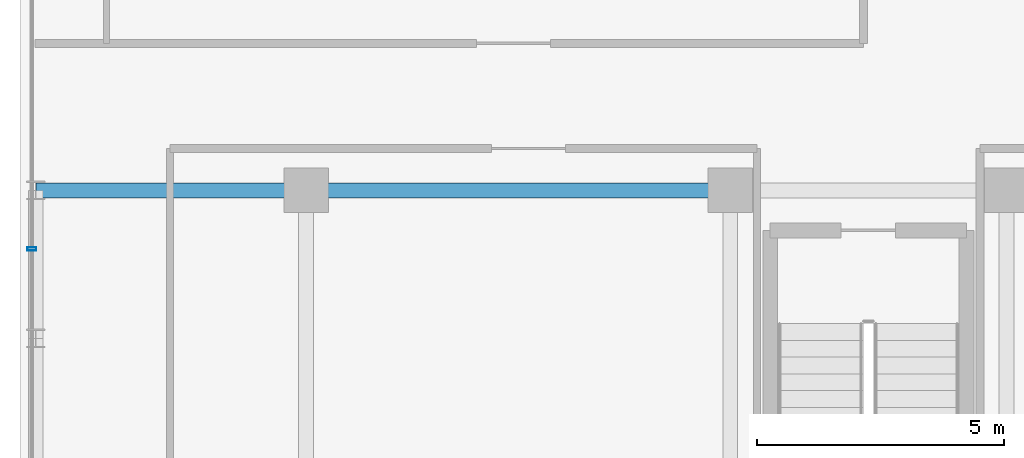
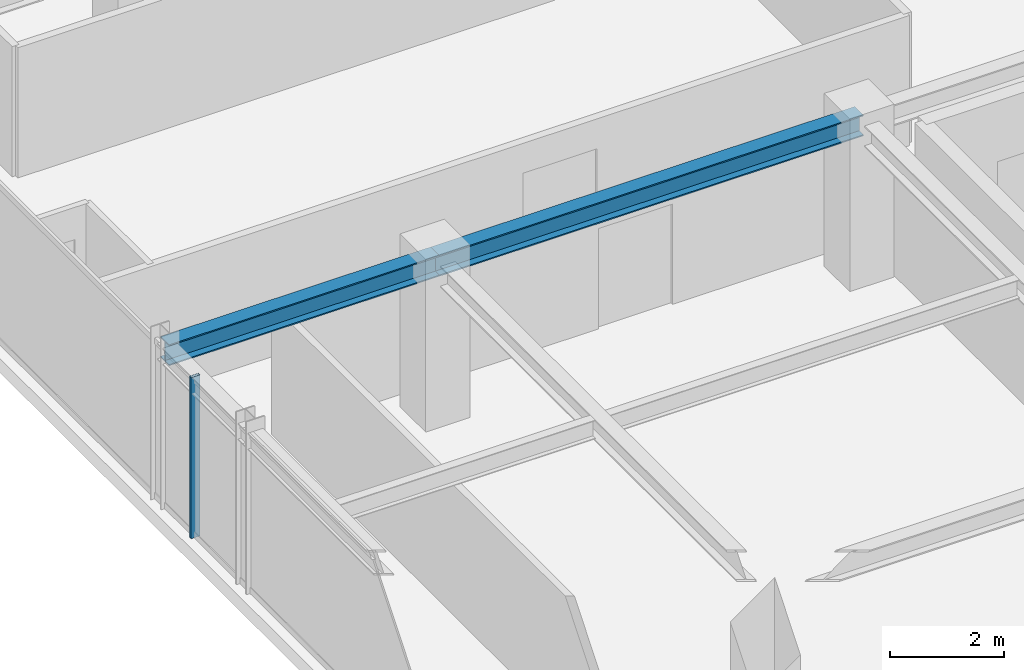
# One storey, part 9 of 32: 2 beams, 1 member, 1 element without a shape of its own.
"""IFC4 building model written with IfcOpenShell, lengths in metres."""

from ifc_helpers import new_model, si_unit, direction, frame, origin, origin_2d, place, context, subcontext, project, spatial, hollow_rectangle, i_section, extrude, source, transform, mapped, material, material_profile, profile_set, type_object, element, aggregate, save


model = new_model("IFC4")

# Units and contexts
model_context = context("Model", 3, precision=1e-05, world=origin(), true_north=direction((0.0, 1.0)))
body_context = subcontext(model_context, "Body", "Model", "MODEL_VIEW")
ifc_project = project(units=[si_unit("LENGTHUNIT", "METRE"), si_unit("AREAUNIT", "SQUARE_METRE"), si_unit("VOLUMEUNIT", "CUBIC_METRE"), si_unit("PLANEANGLEUNIT", "RADIAN"), si_unit("MASSUNIT", "GRAM", prefix="KILO")], contexts=[model_context])

# Site, building, storey
site_placement = place(None, origin())
site = spatial("IfcSite", under=ifc_project, at=site_placement, CompositionType="ELEMENT")
building_placement = place(site_placement, origin())
building = spatial("IfcBuilding", under=site, at=building_placement, Name="Nahalor Promenade Grand Hotel", CompositionType="ELEMENT")
storey_placement = place(building_placement, frame((0.0, 0.0, 285.050048828125)))
storey = spatial("IfcBuildingStorey", under=building, at=storey_placement, Name="L73", CompositionType="ELEMENT", Elevation=285.050048828125)

# Beams
ifc_material_1 = material(Name="Steel S355JR", Category="steel")
ifc_material_profile_1 = material_profile(ifc_material_1, i_section(OverallWidth=0.3, OverallDepth=0.45, WebThickness=0.014, FlangeThickness=0.026, at=origin_2d()), Name="HEB 450")
ifc_profile_set_1 = profile_set([ifc_material_profile_1], Name="Steel S355JR")
beam_type = type_object("IfcBeamType", Name="Beam-Girder-HEB450", PredefinedType="BEAM", material=ifc_profile_set_1)
shared_shape_1 = source(origin(), body_context, "Body", "SweptSolid", [
    extrude(i_section(OverallWidth=0.3, OverallDepth=0.45, WebThickness=0.014, FlangeThickness=0.026, at=origin_2d()), origin(), (0.0, 0.0, 1.0), 8.60009765625),
])
beam_1_placement = place(storey_placement, frame((-17.0, -5.39990234375, 3.224853515625), z_axis=(1.0, 0.0, 0.0), x_axis=(0.0, 1.0, 0.0)))
element("IfcBeam", 1, at=beam_1_placement, inside=storey, type_object=beam_type, Name="BM-L73-GX-1-1", PredefinedType="BEAM", context=body_context, shape_type="MappedRepresentation", body=[
    mapped(shared_shape_1, transform((0.0, 0.0, 0.0), scale=1.0)),
])
shared_shape_2 = source(origin(), body_context, "Body", "SweptSolid", [
    extrude(i_section(OverallWidth=0.3, OverallDepth=0.45, WebThickness=0.014, FlangeThickness=0.026, at=origin_2d()), origin(), (0.0, 0.0, 1.0), 5.47998046875),
])
beam_2_placement = place(storey_placement, frame((-22.47998046875, -5.39990234375, 3.224853515625), z_axis=(1.0, 0.0, 0.0), x_axis=(0.0, 1.0, 0.0)))
element("IfcBeam", 2, at=beam_2_placement, inside=storey, type_object=beam_type, Name="BM-L73-GX-1-0", PredefinedType="BEAM", context=body_context, shape_type="MappedRepresentation", body=[
    mapped(shared_shape_2, transform((0.0, 0.0, 0.0), scale=1.0)),
])

# Curtain wall, member
ifc_material_2 = material(Name="Anodised Bronze Aluminium EN AW-6063 T6", Category="aluminium")
curtain_wall_type = type_object("IfcCurtainWallType", Name="CW2 Typical Hotel Flush Bronze Unitised Curtain Wall", PredefinedType="USERDEFINED", material=ifc_material_2)
curtain_wall_placement = place(storey_placement, origin())
curtain_wall = element("IfcCurtainWall", 3, at=curtain_wall_placement, inside=storey, type_object=curtain_wall_type, Name="L73 Curtain Wall CW-L73-W-1", ObjectType="UNITISED_CURTAIN_WALL", PredefinedType="USERDEFINED")
ifc_material_profile_2 = material_profile(ifc_material_2, hollow_rectangle(XDim=0.065, YDim=0.18, WallThickness=0.004, at=origin_2d()), Name="CWM 65x180x4")
ifc_profile_set_2 = profile_set([ifc_material_profile_2], Name="Anodised Bronze Aluminium EN AW-6063 T6")
member_type = type_object("IfcMemberType", Name="CWM2 Typical Bronze Mullion 65x180", PredefinedType="MULLION", material=ifc_profile_set_2)
shared_shape_3 = source(origin(), body_context, "Body", "SweptSolid", [
    extrude(hollow_rectangle(XDim=0.065, YDim=0.18, WallThickness=0.004, at=origin_2d()), origin(), (0.0, 0.0, 1.0), 3.449951171875),
])
member_placement = place(storey_placement, frame((-22.56005859375, -6.586669921875, 0.0), z_axis=(0.0, 0.0, 1.0), x_axis=(0.0, 1.0, 0.0)))
member = element("IfcMember", 4, at=member_placement, type_object=member_type, Name="CW-L73-W-1 Mullion 1", PredefinedType="MULLION", context=body_context, shape_type="MappedRepresentation", body=[
    mapped(shared_shape_3, transform((0.0, 0.0, 0.0), scale=1.0)),
])
aggregate(curtain_wall, [member])

save(model, "model.ifc")
